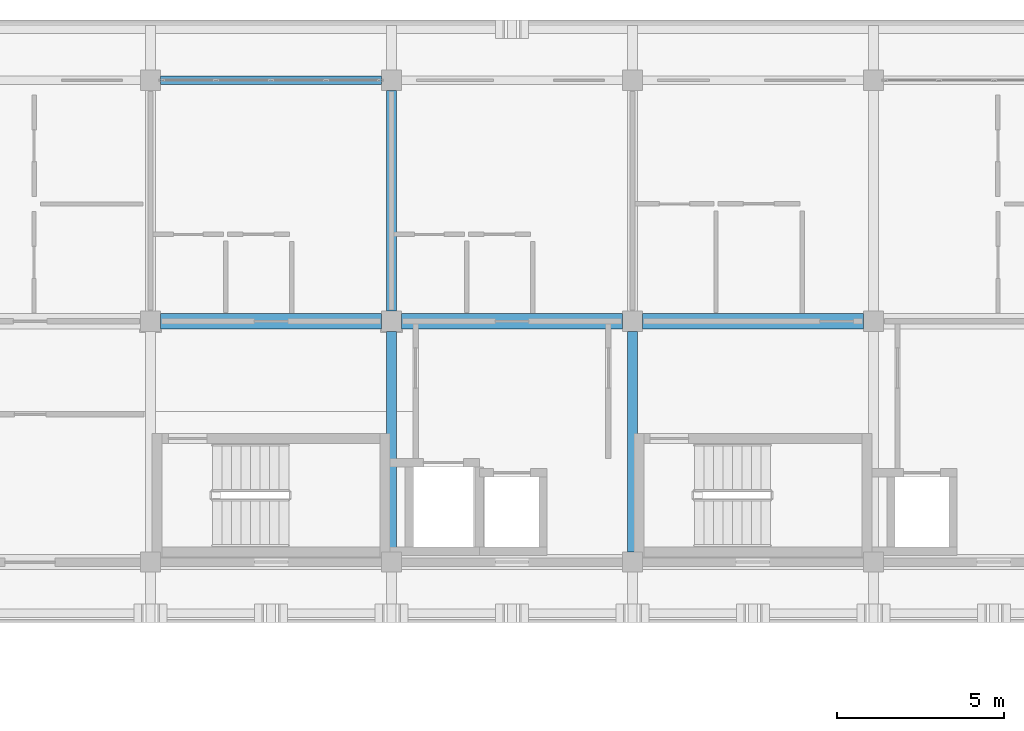
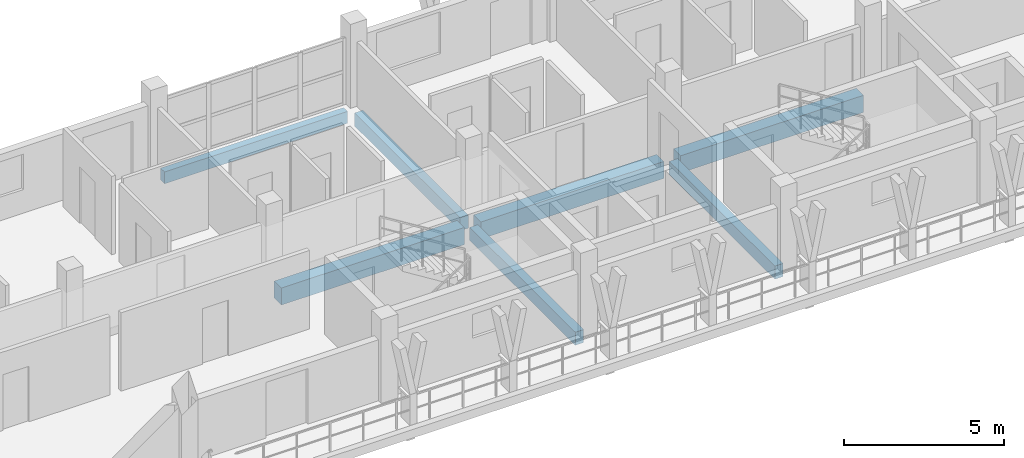
# One storey, part 12 of 67: 7 beams.
"""IFC4 building model written with IfcOpenShell, lengths in metres."""

from ifc_helpers import new_model, si_unit, direction, frame, origin, origin_2d, place, context, subcontext, project, spatial, rectangle, extrude, material, material_profile, profile_set, type_object, element, save


model = new_model("IFC4")

# Units and contexts
model_context = context("Model", 3, precision=1e-05, world=origin(), true_north=direction((0.0, 1.0)))
body_context = subcontext(model_context, "Body", "Model", "MODEL_VIEW")
ifc_project = project(units=[si_unit("LENGTHUNIT", "METRE"), si_unit("AREAUNIT", "SQUARE_METRE"), si_unit("VOLUMEUNIT", "CUBIC_METRE"), si_unit("PLANEANGLEUNIT", "RADIAN"), si_unit("MASSUNIT", "GRAM", prefix="KILO")], contexts=[model_context])

# Site, building, storey
site_placement = place(None, origin())
site = spatial("IfcSite", under=ifc_project, at=site_placement, CompositionType="ELEMENT")
building_placement = place(site_placement, origin())
building = spatial("IfcBuilding", under=site, at=building_placement, Name="Suanplinth Sawtooth Commons", CompositionType="ELEMENT")
storey_placement = place(building_placement, frame((0.0, 0.0, 25.10009765625)))
storey = spatial("IfcBuildingStorey", under=building, at=storey_placement, Name="L07", CompositionType="ELEMENT", Elevation=25.10009765625)

# Beams
ifc_material = material(Name="Precast concrete C40/50", Category="concrete")
ifc_material_profile_1 = material_profile(ifc_material, rectangle(XDim=0.449951171875, YDim=0.64990234375, at=origin_2d()), Name="PC-GDR 450x650")
ifc_profile_set_1 = profile_set([ifc_material_profile_1], Name="Precast concrete C40/50")
beam_type_1 = type_object("IfcBeamType", Name="B-04", PredefinedType="USERDEFINED", material=ifc_profile_set_1)
for number, where, z_axis, x_axis, name in (
    (1, (43.5, 115.199951171875, -0.545166015625), (1.0, 0.0, 0.0), (0.0, 1.0, 0.0), "BMX-L07-A-6-16"),
    (2, (50.699951171875, 115.199951171875, -0.545166015625), (1.0, 0.0, 0.0), (0.0, 1.0, 0.0), "BMX-L07-A-7-16"),
    (3, (57.89990234375, 115.199951171875, -0.545166015625), (1.0, 0.0, 0.0), (0.0, 1.0, 0.0), "BMX-L07-A-8-16"),
):
    element("IfcBeam", number, at=place(storey_placement, frame(where, z_axis=z_axis, x_axis=x_axis)), inside=storey, type_object=beam_type_1, Name=name, ObjectType="GIRDER", PredefinedType="USERDEFINED", context=body_context, shape_type="SweptSolid", body=[
        extrude(rectangle(XDim=0.449951171875, YDim=0.64990234375, at=origin_2d()), origin(), (0.0, 0.0, 1.0), 6.60009765625),
    ])
ifc_material_profile_2 = material_profile(ifc_material, rectangle(XDim=0.300048828125, YDim=0.5, at=origin_2d()), Name="PC-BM 300x500")
ifc_profile_set_2 = profile_set([ifc_material_profile_2], Name="Precast concrete C40/50")
beam_type_2 = type_object("IfcBeamType", Name="B-07", PredefinedType="BEAM", material=ifc_profile_set_2)
beam_1_placement = place(storey_placement, frame((50.39990234375, 108.300048828125, -0.47021484375), z_axis=(0.0, 1.0, 0.0), x_axis=(-1.0, 0.0, 0.0)))
element("IfcBeam", 4, at=beam_1_placement, inside=storey, type_object=beam_type_2, Name="BMY-L07-A-7-15", PredefinedType="BEAM", context=body_context, shape_type="SweptSolid", body=[
    extrude(rectangle(XDim=0.300048828125, YDim=0.5, at=origin_2d()), origin(), (0.0, 0.0, 1.0), 6.599853515625),
])
beam_2_placement = place(storey_placement, frame((50.39990234375, 115.5, -0.47021484375), z_axis=(0.0, 1.0, 0.0), x_axis=(-1.0, 0.0, 0.0)))
element("IfcBeam", 5, at=beam_2_placement, inside=storey, type_object=beam_type_2, Name="BMY-L07-A-7-16", PredefinedType="BEAM", context=body_context, shape_type="SweptSolid", body=[
    extrude(rectangle(XDim=0.300048828125, YDim=0.5, at=origin_2d()), origin(), (0.0, 0.0, 1.0), 6.60009765625),
])
beam_3_placement = place(storey_placement, frame((57.60009765625, 108.300048828125, -0.47021484375), z_axis=(0.0, 1.0, 0.0), x_axis=(-1.0, 0.0, 0.0)))
element("IfcBeam", 6, at=beam_3_placement, inside=storey, type_object=beam_type_2, Name="BMY-L07-A-8-15", PredefinedType="BEAM", context=body_context, shape_type="SweptSolid", body=[
    extrude(rectangle(XDim=0.300048828125, YDim=0.5, at=origin_2d()), origin(), (0.0, 0.0, 1.0), 6.599853515625),
])
ifc_material_profile_3 = material_profile(ifc_material, rectangle(XDim=0.25, YDim=0.449951171875, at=origin_2d()), Name="PC-SP 250x450")
ifc_profile_set_3 = profile_set([ifc_material_profile_3], Name="Precast concrete C40/50")
beam_type_3 = type_object("IfcBeamType", Name="B-09", PredefinedType="SPANDREL", material=ifc_profile_set_3)
beam_4_placement = place(storey_placement, frame((43.5, 122.39990234375, -0.445068359375), z_axis=(1.0, 0.0, 0.0), x_axis=(0.0, 1.0, 0.0)))
element("IfcBeam", 7, at=beam_4_placement, inside=storey, type_object=beam_type_3, Name="BMX-L07-A-6-17", PredefinedType="SPANDREL", context=body_context, shape_type="SweptSolid", body=[
    extrude(rectangle(XDim=0.25, YDim=0.449951171875, at=origin_2d()), origin(), (0.0, 0.0, 1.0), 6.60009765625),
])

save(model, "model.ifc")
